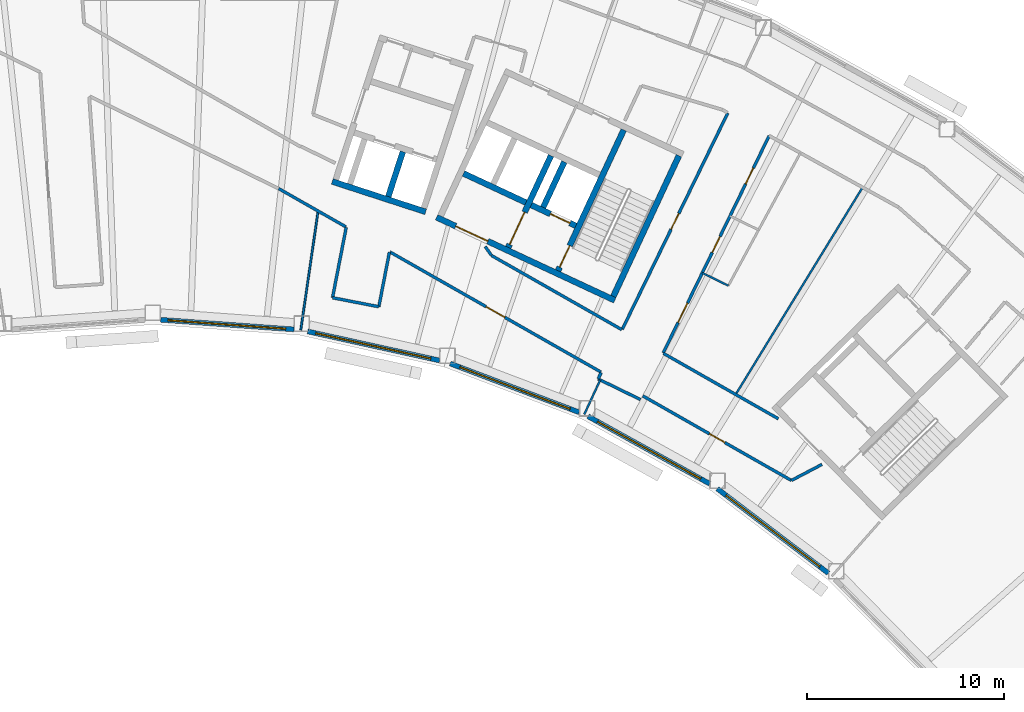
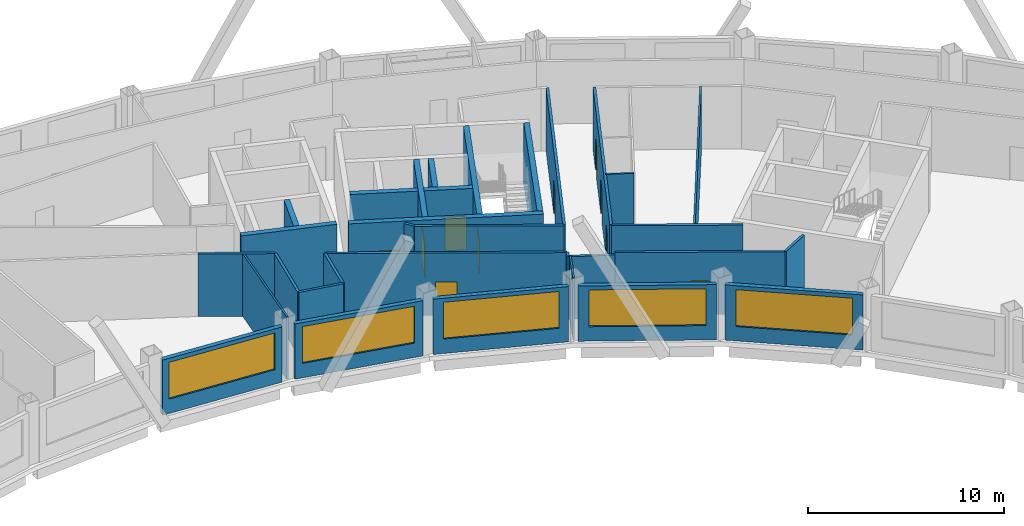
# One storey, part 8 of 14: 32 walls, 10 doors, 5 windows, 15 openings.
"""IFC4 building model written with IfcOpenShell, lengths in metres."""

from ifc_helpers import new_model, si_unit, direction, frame, frame_2d, origin, place, context, subcontext, project, spatial, rectangle, extrude, material, layer, layer_set, type_object, element, fill, save


model = new_model("IFC4")

# Units and contexts
model_context = context("Model", 3, precision=1e-05, world=origin(), true_north=direction((0.0, 1.0)))
body_context = subcontext(model_context, "Body", "Model", "MODEL_VIEW")
ifc_project = project(units=[si_unit("LENGTHUNIT", "METRE"), si_unit("AREAUNIT", "SQUARE_METRE"), si_unit("VOLUMEUNIT", "CUBIC_METRE"), si_unit("PLANEANGLEUNIT", "RADIAN"), si_unit("MASSUNIT", "GRAM", prefix="KILO")], contexts=[model_context])

# Site, building, storey
site_placement = place(None, origin())
site = spatial("IfcSite", under=ifc_project, at=site_placement, CompositionType="ELEMENT")
building_placement = place(site_placement, origin())
building = spatial("IfcBuilding", under=site, at=building_placement, Name="Tuul Gate Civic Tower", CompositionType="ELEMENT")
storey_placement = place(building_placement, frame((0.0, 0.0, 265.199951171875)))
storey = spatial("IfcBuildingStorey", under=building, at=storey_placement, Name="Level 60", CompositionType="ELEMENT", Elevation=265.199951171875)

# Wall, opening, door
ifc_material_1 = material(Name="Concrete C50/60", Category="concrete")
ifc_layer_1 = layer(ifc_material_1, 0.300048828125)
ifc_layer_set_1 = layer_set([ifc_layer_1], Name="Concrete C50/60")
wall_type_1 = type_object("IfcWallType", Name="Core wall C50/60", PredefinedType="SHEAR", material=ifc_layer_set_1)
wall_1_placement = place(storey_placement, frame((34.5283203125, -7.25, 0.0), z_axis=(0.0, 0.0, 1.0), x_axis=(-0.906310338845, 0.422612789327, 0.0)))
wall_1 = element("IfcWall", 1, at=wall_1_placement, inside=storey, type_object=wall_type_1, Name="Core wall", PredefinedType="SHEAR", context=body_context, shape_type="SweptSolid", body=[
    extrude(rectangle(XDim=9.999755859375, YDim=0.300048828125, at=frame_2d((5.0, 0.0))), origin(), (0.0, 0.0, 1.0), 3.900146484375),
])
opening_1_placement = place(wall_1_placement, frame((7.125, 0.0, 0.0)))
opening_1 = element("IfcOpeningElement", 2, at=opening_1_placement, cuts=wall_1, Name="Opening LB-E3-LOBBY-1", PredefinedType="OPENING", context=body_context, shape_type="SweptSolid", body=[
    extrude(rectangle(XDim=1.800048828125, YDim=2.10009765625, at=frame_2d((0.89990234375, 1.050048828125))), frame((0.0, 0.16015625, 0.0), z_axis=(0.0, -1.0, 0.0), x_axis=(1.0, 0.0, 0.0)), (0.0, 0.0, 1.0), 0.320068359375),
])
ifc_material_2 = material(Name="Steel", Category="steel")
door_type_1 = type_object("IfcDoorType", Name="Lobby door", OperationType="DOUBLE_DOOR_SINGLE_SWING", PredefinedType="DOOR", material=ifc_material_2)
door_1_placement = place(opening_1_placement, origin())
door_1 = element("IfcDoor", 3, at=door_1_placement, inside=storey, type_object=door_type_1, Name="Lobby door E3-LOBBY", OperationType="DOUBLE_DOOR_SINGLE_SWING", OverallHeight=2.10009765625, OverallWidth=1.800048828125, PredefinedType="DOOR", context=body_context, shape_type="SweptSolid", body=[
    extrude(rectangle(XDim=1.800048828125, YDim=2.10009765625, at=frame_2d((0.89990234375, 1.050048828125))), frame((0.0, 0.02490234375, 0.0), z_axis=(0.0, -1.0, 0.0), x_axis=(1.0, 0.0, 0.0)), (0.0, 0.0, 1.0), 0.050048828125),
])
fill(opening_1, door_1)

wall_2_placement = place(storey_placement, frame((32.545654296875, -3.456787109375, 0.0), z_axis=(0.0, 0.0, 1.0), x_axis=(-0.906300357825, 0.42263419337, 0.0)))
wall_2 = element("IfcWall", 4, at=wall_2_placement, inside=storey, type_object=wall_type_1, Name="Core wall", PredefinedType="SHEAR", context=body_context, shape_type="SweptSolid", body=[
    extrude(rectangle(XDim=2.500244140625, YDim=0.300048828125, at=frame_2d((1.25, 0.0))), origin(), (0.0, 0.0, 1.0), 3.900146484375),
])
opening_2_placement = place(wall_2_placement, frame((0.324951171875, 0.0, 0.0)))
opening_2 = element("IfcOpeningElement", 5, at=opening_2_placement, cuts=wall_2, Name="Opening LD-FF-2", PredefinedType="OPENING", context=body_context, shape_type="SweptSolid", body=[
    extrude(rectangle(XDim=1.10009765625, YDim=2.10009765625, at=frame_2d((0.550048828125, 1.050048828125))), frame((0.0, 0.16015625, 0.0), z_axis=(0.0, -1.0, 0.0), x_axis=(1.0, 0.0, 0.0)), (0.0, 0.0, 1.0), 0.320068359375),
])
ifc_material_3 = material(Name="Stainless steel", Category="steel")
door_type_2 = type_object("IfcDoorType", Name="Landing door", OperationType="DOUBLE_DOOR_SLIDING", PredefinedType="DOOR", material=ifc_material_3)
door_2_placement = place(opening_2_placement, origin())
door_2 = element("IfcDoor", 6, at=door_2_placement, inside=storey, type_object=door_type_2, Name="Fire-fighting lift FF-2 landing door", OperationType="DOUBLE_DOOR_SLIDING", OverallHeight=2.10009765625, OverallWidth=1.10009765625, PredefinedType="DOOR", context=body_context, shape_type="SweptSolid", body=[
    extrude(rectangle(XDim=1.10009765625, YDim=2.10009765625, at=frame_2d((0.550048828125, 1.050048828125))), frame((0.0, 0.02490234375, 0.0), z_axis=(0.0, -1.0, 0.0), x_axis=(1.0, 0.0, 0.0)), (0.0, 0.0, 1.0), 0.050048828125),
])
fill(opening_2, door_2)

# Walls
wall_3_placement = place(storey_placement, frame((30.0078125, -2.2734375, 0.0), z_axis=(0.0, 0.0, 1.0), x_axis=(-0.90630071767, 0.422633421716, 0.0)))
element("IfcWall", 7, at=wall_3_placement, inside=storey, type_object=wall_type_1, Name="Core wall", PredefinedType="SHEAR", context=body_context, shape_type="SweptSolid", body=[
    extrude(rectangle(XDim=3.5, YDim=0.300048828125, at=frame_2d((1.75, 0.0))), origin(), (0.0, 0.0, 1.0), 3.900146484375),
])
wall_4_placement = place(storey_placement, frame((34.455810546875, -7.05078125, 0.0), z_axis=(0.0, 0.0, 1.0), x_axis=(0.422570768258, 0.906329932096, 0.0)))
element("IfcWall", 8, at=wall_4_placement, inside=storey, type_object=wall_type_1, Name="Core wall", PredefinedType="SHEAR", context=body_context, shape_type="SweptSolid", body=[
    extrude(rectangle(XDim=7.900146484375, YDim=0.300048828125, at=frame_2d((3.9501953125, 0.0))), origin(), (0.0, 0.0, 1.0), 3.900146484375),
])

# Wall, opening, door
wall_5_placement = place(storey_placement, frame((31.646240234375, -5.740478515625, 0.0), z_axis=(0.0, 0.0, 1.0), x_axis=(0.422582604137, 0.906324413596, 0.0)))
wall_5 = element("IfcWall", 9, at=wall_5_placement, inside=storey, type_object=wall_type_1, Name="Core wall", PredefinedType="SHEAR", context=body_context, shape_type="SweptSolid", body=[
    extrude(rectangle(XDim=7.89990234375, YDim=0.300048828125, at=frame_2d((3.949951171875, 0.0))), origin(), (0.0, 0.0, 1.0), 3.900146484375),
])
opening_3_placement = place(wall_5_placement, frame((0.199951171875, 0.0, 0.0)))
opening_3 = element("IfcOpeningElement", 10, at=opening_3_placement, cuts=wall_5, Name="Opening SD-ST-4", PredefinedType="OPENING", context=body_context, shape_type="SweptSolid", body=[
    extrude(rectangle(XDim=1.199951171875, YDim=2.10009765625, at=frame_2d((0.60009765625, 1.050048828125))), frame((0.0, 0.16015625, 0.0), z_axis=(0.0, -1.0, 0.0), x_axis=(1.0, 0.0, 0.0)), (0.0, 0.0, 1.0), 0.320068359375),
])
ifc_material_4 = material(Name="Steel", Category="steel")
door_type_3 = type_object("IfcDoorType", Name="Stair door", OperationType="NOTDEFINED", PredefinedType="DOOR", material=ifc_material_4)
door_3_placement = place(opening_3_placement, origin())
door_3 = element("IfcDoor", 11, at=door_3_placement, inside=storey, type_object=door_type_3, Name="Stair door ST-4", OperationType="SINGLE_SWING_LEFT", OverallHeight=2.10009765625, OverallWidth=1.199951171875, PredefinedType="DOOR", context=body_context, shape_type="SweptSolid", body=[
    extrude(rectangle(XDim=1.199951171875, YDim=2.10009765625, at=frame_2d((0.60009765625, 1.050048828125))), frame((0.0, 0.02490234375, 0.0), z_axis=(0.0, -1.0, 0.0), x_axis=(1.0, 0.0, 0.0)), (0.0, 0.0, 1.0), 0.050048828125),
])
fill(opening_3, door_3)

# Wall
wall_6_placement = place(storey_placement, frame((30.886962890625, -2.517822265625, 0.0), z_axis=(0.0, 0.0, 1.0), x_axis=(0.422612891016, 0.906310291427, 0.0)))
element("IfcWall", 12, at=wall_6_placement, inside=storey, type_object=wall_type_1, Name="Core wall", PredefinedType="SHEAR", context=body_context, shape_type="SweptSolid", body=[
    extrude(rectangle(XDim=2.550048828125, YDim=0.300048828125, at=frame_2d((1.27490234375, 0.0))), origin(), (0.0, 0.0, 1.0), 3.900146484375),
])

# Wall, opening, door
wall_7_placement = place(storey_placement, frame((29.108642578125, -4.557373046875, 0.0), z_axis=(0.0, 0.0, 1.0), x_axis=(0.422566235356, 0.90633204552, 0.0)))
wall_7 = element("IfcWall", 13, at=wall_7_placement, inside=storey, type_object=wall_type_1, Name="Core wall", PredefinedType="SHEAR", context=body_context, shape_type="SweptSolid", body=[
    extrude(rectangle(XDim=5.150146484375, YDim=0.300048828125, at=frame_2d((2.5751953125, 0.0))), origin(), (0.0, 0.0, 1.0), 3.900146484375),
])
opening_4_placement = place(wall_7_placement, frame((0.175048828125, 0.0, 0.0)))
opening_4 = element("IfcOpeningElement", 14, at=opening_4_placement, cuts=wall_7, Name="Opening LB-E3-FLOBBY-1", PredefinedType="OPENING", context=body_context, shape_type="SweptSolid", body=[
    extrude(rectangle(XDim=1.800048828125, YDim=2.10009765625, at=frame_2d((0.89990234375, 1.050048828125))), frame((0.0, 0.16015625, 0.0), z_axis=(0.0, -1.0, 0.0), x_axis=(1.0, 0.0, 0.0)), (0.0, 0.0, 1.0), 0.320068359375),
])
door_4_placement = place(opening_4_placement, frame((1.800048828125, 0.0, 0.0), z_axis=(0.0, 0.0, 1.0), x_axis=(-1.0, 0.0, 0.0)))
door_4 = element("IfcDoor", 15, at=door_4_placement, inside=storey, type_object=door_type_1, Name="Lobby door E3-FLOBBY", OperationType="DOUBLE_DOOR_SINGLE_SWING", OverallHeight=2.10009765625, OverallWidth=1.800048828125, PredefinedType="DOOR", context=body_context, shape_type="SweptSolid", body=[
    extrude(rectangle(XDim=1.800048828125, YDim=2.10009765625, at=frame_2d((0.900146484375, 1.050048828125))), frame((0.0, 0.02490234375, 0.0), z_axis=(0.0, -1.0, 0.0), x_axis=(1.0, 0.0, 0.0)), (0.0, 0.0, 1.0), 0.050048828125),
])
fill(opening_4, door_4)

# Walls
ifc_material_5 = material(Name="Gypsum board partition")
ifc_layer_2 = layer(ifc_material_5, 0.14990234375)
ifc_layer_set_2 = layer_set([ifc_layer_2], Name="Gypsum board partition")
wall_type_2 = type_object("IfcWallType", Name="Corridor wall P150", PredefinedType="PARTITIONING", material=ifc_layer_set_2)
wall_8_placement = place(storey_placement, frame((28.256591796875, -4.965576171875, 0.0), z_axis=(0.0, 0.0, 1.0), x_axis=(0.869032320877, -0.494755318589, 0.0)))
element("IfcWall", 16, at=wall_8_placement, inside=storey, type_object=wall_type_2, Name="p023", PredefinedType="PARTITIONING", context=body_context, shape_type="SweptSolid", body=[
    extrude(rectangle(XDim=7.62353515625, YDim=0.14990234375, at=frame_2d((3.811767578125, 0.0))), origin(), (0.0, 0.0, 1.0), 3.900146484375),
])
wall_9_placement = place(storey_placement, frame((37.004638671875, -9.94580078125, 0.0), z_axis=(0.0, 0.0, 1.0), x_axis=(0.869046007404, -0.49473127758, 0.0)))
element("IfcWall", 17, at=wall_9_placement, inside=storey, type_object=wall_type_2, Name="p024", PredefinedType="PARTITIONING", context=body_context, shape_type="SweptSolid", body=[
    extrude(rectangle(XDim=6.72705078125, YDim=0.14990234375, at=frame_2d((3.363525390625, 0.0))), origin(), (0.0, 0.0, 1.0), 3.900146484375),
])
wall_10_placement = place(storey_placement, frame((33.681640625, -11.247314453125, 0.0), z_axis=(0.0, 0.0, 1.0), x_axis=(0.898820277284, -0.438317361216, 0.0)))
element("IfcWall", 18, at=wall_10_placement, inside=storey, type_object=wall_type_2, Name="p052", PredefinedType="PARTITIONING", context=body_context, shape_type="SweptSolid", body=[
    extrude(rectangle(XDim=2.39892578125, YDim=0.14990234375, at=frame_2d((1.199462890625, 0.0))), origin(), (0.0, 0.0, 1.0), 3.900146484375),
])

# Wall, openings, doors
wall_11_placement = place(storey_placement, frame((36.998291015625, -9.920654296875, 0.0), z_axis=(0.0, 0.0, 1.0), x_axis=(0.438372757264, 0.898793260816, 0.0)))
wall_11 = element("IfcWall", 19, at=wall_11_placement, inside=storey, type_object=wall_type_2, Name="p053", PredefinedType="PARTITIONING", context=body_context, shape_type="SweptSolid", body=[
    extrude(rectangle(XDim=12.291259765625, YDim=0.14990234375, at=frame_2d((6.1455078125, 0.0))), origin(), (0.0, 0.0, 1.0), 3.900146484375),
])
opening_5_placement = place(wall_11_placement, frame((1.712158203125, 0.0, 0.0)))
opening_5 = element("IfcOpeningElement", 20, at=opening_5_placement, cuts=wall_11, Name="Opening V-D18", PredefinedType="OPENING", context=body_context, shape_type="SweptSolid", body=[
    extrude(rectangle(XDim=1.10009765625, YDim=2.10009765625, at=frame_2d((0.550048828125, 1.050048828125))), frame((0.0, 0.0849609375, 0.0), z_axis=(0.0, -1.0, 0.0), x_axis=(1.0, 0.0, 0.0)), (0.0, 0.0, 1.0), 0.169921875),
])
opening_6_placement = place(wall_11_placement, frame((5.68505859375, 0.0, 0.0)))
opening_6 = element("IfcOpeningElement", 21, at=opening_6_placement, cuts=wall_11, Name="Opening V-D19", PredefinedType="OPENING", context=body_context, shape_type="SweptSolid", body=[
    extrude(rectangle(XDim=0.89990234375, YDim=2.10009765625, at=frame_2d((0.449951171875, 1.050048828125))), frame((0.0, 0.0849609375, 0.0), z_axis=(0.0, -1.0, 0.0), x_axis=(1.0, 0.0, 0.0)), (0.0, 0.0, 1.0), 0.169921875),
])
opening_7_placement = place(wall_11_placement, frame((9.5537109375, 0.0, 0.0)))
opening_7 = element("IfcOpeningElement", 22, at=opening_7_placement, cuts=wall_11, Name="Opening V-D25", PredefinedType="OPENING", context=body_context, shape_type="SweptSolid", body=[
    extrude(rectangle(XDim=0.89990234375, YDim=2.10009765625, at=frame_2d((0.449951171875, 1.050048828125))), frame((0.0, 0.0849609375, 0.0), z_axis=(0.0, -1.0, 0.0), x_axis=(1.0, 0.0, 0.0)), (0.0, 0.0, 1.0), 0.169921875),
])
ifc_material_6 = material(Name="Timber door leaf", Category="wood")
door_type_4 = type_object("IfcDoorType", Name="Door D09", OperationType="NOTDEFINED", PredefinedType="DOOR", material=ifc_material_6)
door_5_placement = place(opening_6_placement, frame((0.89990234375, 0.0, 0.0), z_axis=(0.0, 0.0, 1.0), x_axis=(-1.0, 0.0, 0.0)))
door_5 = element("IfcDoor", 23, at=door_5_placement, inside=storey, type_object=door_type_4, Name="Door V-D19", OperationType="SINGLE_SWING_LEFT", OverallHeight=2.10009765625, OverallWidth=0.89990234375, PredefinedType="DOOR", context=body_context, shape_type="SweptSolid", body=[
    extrude(rectangle(XDim=0.89990234375, YDim=2.10009765625, at=frame_2d((0.449951171875, 1.050048828125))), frame((0.0, 0.02490234375, 0.0), z_axis=(0.0, -1.0, 0.0), x_axis=(1.0, 0.0, 0.0)), (0.0, 0.0, 1.0), 0.050048828125),
])
fill(opening_6, door_5)
door_6_placement = place(opening_7_placement, frame((0.89990234375, 0.0, 0.0), z_axis=(0.0, 0.0, 1.0), x_axis=(-1.0, 0.0, 0.0)))
door_6 = element("IfcDoor", 24, at=door_6_placement, inside=storey, type_object=door_type_4, Name="Door V-D25", OperationType="SINGLE_SWING_LEFT", OverallHeight=2.10009765625, OverallWidth=0.89990234375, PredefinedType="DOOR", context=body_context, shape_type="SweptSolid", body=[
    extrude(rectangle(XDim=0.89990234375, YDim=2.10009765625, at=frame_2d((0.449951171875, 1.050048828125))), frame((0.0, 0.02490234375, 0.0), z_axis=(0.0, -1.0, 0.0), x_axis=(1.0, 0.0, 0.0)), (0.0, 0.0, 1.0), 0.050048828125),
])
fill(opening_7, door_6)
ifc_material_7 = material(Name="Timber door leaf", Category="wood")
door_type_5 = type_object("IfcDoorType", Name="Door D11", OperationType="NOTDEFINED", PredefinedType="DOOR", material=ifc_material_7)
door_7_placement = place(opening_5_placement, frame((1.10009765625, 0.0, 0.0), z_axis=(0.0, 0.0, 1.0), x_axis=(-1.0, 0.0, 0.0)))
door_7 = element("IfcDoor", 25, at=door_7_placement, inside=storey, type_object=door_type_5, Name="Door V-D18", OperationType="SINGLE_SWING_LEFT", OverallHeight=2.10009765625, OverallWidth=1.10009765625, PredefinedType="DOOR", context=body_context, shape_type="SweptSolid", body=[
    extrude(rectangle(XDim=1.10009765625, YDim=2.10009765625, at=frame_2d((0.550048828125, 1.050048828125))), frame((0.0, 0.02490234375, 0.0), z_axis=(0.0, -1.0, 0.0), x_axis=(1.0, 0.0, 0.0)), (0.0, 0.0, 1.0), 0.050048828125),
])
fill(opening_5, door_7)

# Wall
wall_12_placement = place(storey_placement, frame((17.43310546875, -1.565673828125, 0.0), z_axis=(0.0, 0.0, 1.0), x_axis=(0.869046695057, -0.494730069645, 0.0)))
element("IfcWall", 26, at=wall_12_placement, inside=storey, type_object=wall_type_2, Name="p054", PredefinedType="PARTITIONING", context=body_context, shape_type="SweptSolid", body=[
    extrude(rectangle(XDim=3.939453125, YDim=0.14990234375, at=frame_2d((1.9697265625, 0.0))), origin(), (0.0, 0.0, 1.0), 3.900146484375),
])

# Wall, opening, door
wall_13_placement = place(storey_placement, frame((23.0947265625, -4.788818359375, 0.0), z_axis=(0.0, 0.0, 1.0), x_axis=(0.869048389976, -0.494727092324, 0.0)))
wall_13 = element("IfcWall", 27, at=wall_13_placement, inside=storey, type_object=wall_type_2, Name="p055", PredefinedType="PARTITIONING", context=body_context, shape_type="SweptSolid", body=[
    extrude(rectangle(XDim=12.3525390625, YDim=0.14990234375, at=frame_2d((6.17626953125, 0.0))), origin(), (0.0, 0.0, 1.0), 3.900146484375),
])
opening_8_placement = place(wall_13_placement, frame((5.626220703125, 0.0, 0.0)))
opening_8 = element("IfcOpeningElement", 28, at=opening_8_placement, cuts=wall_13, Name="Opening V-D11", PredefinedType="OPENING", context=body_context, shape_type="SweptSolid", body=[
    extrude(rectangle(XDim=1.10009765625, YDim=2.10009765625, at=frame_2d((0.550048828125, 1.050048828125))), frame((0.0, 0.0849609375, 0.0), z_axis=(0.0, -1.0, 0.0), x_axis=(1.0, 0.0, 0.0)), (0.0, 0.0, 1.0), 0.169921875),
])
door_8_placement = place(opening_8_placement, frame((1.10009765625, 0.0, 0.0), z_axis=(0.0, 0.0, 1.0), x_axis=(-1.0, 0.0, 0.0)))
door_8 = element("IfcDoor", 29, at=door_8_placement, inside=storey, type_object=door_type_5, Name="Door V-D11", OperationType="SINGLE_SWING_LEFT", OverallHeight=2.10009765625, OverallWidth=1.10009765625, PredefinedType="DOOR", context=body_context, shape_type="SweptSolid", body=[
    extrude(rectangle(XDim=1.10009765625, YDim=2.10009765625, at=frame_2d((0.550048828125, 1.050048828125))), frame((0.0, 0.02490234375, 0.0), z_axis=(0.0, -1.0, 0.0), x_axis=(1.0, 0.0, 0.0)), (0.0, 0.0, 1.0), 0.050048828125),
])
fill(opening_8, door_8)

wall_14_placement = place(storey_placement, frame((35.954345703125, -12.109619140625, 0.0), z_axis=(0.0, 0.0, 1.0), x_axis=(0.869048580434, -0.494726757761, 0.0)))
wall_14 = element("IfcWall", 30, at=wall_14_placement, inside=storey, type_object=wall_type_2, Name="p056", PredefinedType="PARTITIONING", context=body_context, shape_type="SweptSolid", body=[
    extrude(rectangle(XDim=8.69873046875, YDim=0.14990234375, at=frame_2d((4.349365234375, 0.0))), origin(), (0.0, 0.0, 1.0), 3.900146484375),
])
opening_9_placement = place(wall_14_placement, frame((3.8994140625, 0.0, 0.0)))
opening_9 = element("IfcOpeningElement", 31, at=opening_9_placement, cuts=wall_14, Name="Opening V-D10", PredefinedType="OPENING", context=body_context, shape_type="SweptSolid", body=[
    extrude(rectangle(XDim=0.89990234375, YDim=2.10009765625, at=frame_2d((0.449951171875, 1.050048828125))), frame((0.0, 0.0849609375, 0.0), z_axis=(0.0, -1.0, 0.0), x_axis=(1.0, 0.0, 0.0)), (0.0, 0.0, 1.0), 0.169921875),
])
door_9_placement = place(opening_9_placement, frame((0.89990234375, 0.0, 0.0), z_axis=(0.0, 0.0, 1.0), x_axis=(-1.0, 0.0, 0.0)))
door_9 = element("IfcDoor", 32, at=door_9_placement, inside=storey, type_object=door_type_4, Name="Door V-D10", OperationType="SINGLE_SWING_LEFT", OverallHeight=2.10009765625, OverallWidth=0.89990234375, PredefinedType="DOOR", context=body_context, shape_type="SweptSolid", body=[
    extrude(rectangle(XDim=0.89990234375, YDim=2.10009765625, at=frame_2d((0.449951171875, 1.050048828125))), frame((0.0, 0.02490234375, 0.0), z_axis=(0.0, -1.0, 0.0), x_axis=(1.0, 0.0, 0.0)), (0.0, 0.0, 1.0), 0.050048828125),
])
fill(opening_9, door_9)

# Walls
wall_15_placement = place(storey_placement, frame((43.514892578125, -16.4130859375, 0.0), z_axis=(0.0, 0.0, 1.0), x_axis=(0.885578182446, 0.464490347343, 0.0)))
element("IfcWall", 33, at=wall_15_placement, inside=storey, type_object=wall_type_2, Name="p057", PredefinedType="PARTITIONING", context=body_context, shape_type="SweptSolid", body=[
    extrude(rectangle(XDim=1.755126953125, YDim=0.14990234375, at=frame_2d((0.87744140625, 0.0))), origin(), (0.0, 0.0, 1.0), 3.900146484375),
])
wall_16_placement = place(storey_placement, frame((20.17041015625, -7.1162109375, 0.0), z_axis=(0.0, 0.0, 1.0), x_axis=(0.190835618479, 0.981622008066, 0.0)))
element("IfcWall", 34, at=wall_16_placement, inside=storey, type_object=wall_type_2, Name="p058", PredefinedType="PARTITIONING", context=body_context, shape_type="SweptSolid", body=[
    extrude(rectangle(XDim=3.6474609375, YDim=0.14990234375, at=frame_2d((1.82373046875, 0.0))), origin(), (0.0, 0.0, 1.0), 3.900146484375),
])
wall_17_placement = place(storey_placement, frame((20.1708984375, -7.11669921875, 0.0), z_axis=(0.0, 0.0, 1.0), x_axis=(0.981627039765, -0.190809734559, 0.0)))
element("IfcWall", 35, at=wall_17_placement, inside=storey, type_object=wall_type_2, Name="p059", PredefinedType="PARTITIONING", context=body_context, shape_type="SweptSolid", body=[
    extrude(rectangle(XDim=2.399169921875, YDim=0.14990234375, at=frame_2d((1.19970703125, 0.0))), origin(), (0.0, 0.0, 1.0), 3.900146484375),
])
wall_18_placement = place(storey_placement, frame((22.5263671875, -7.57421875, 0.0), z_axis=(0.0, 0.0, 1.0), x_axis=(0.190809492734, 0.981627086771, 0.0)))
element("IfcWall", 36, at=wall_18_placement, inside=storey, type_object=wall_type_2, Name="p060", PredefinedType="PARTITIONING", context=body_context, shape_type="SweptSolid", body=[
    extrude(rectangle(XDim=2.823974609375, YDim=0.14990234375, at=frame_2d((1.412109375, 0.0))), origin(), (0.0, 0.0, 1.0), 3.900146484375),
])
wall_19_placement = place(storey_placement, frame((33.681396484375, -11.24658203125, 0.0), z_axis=(0.0, 0.0, 1.0), x_axis=(0.438153845519, 0.898899998697, 0.0)))
element("IfcWall", 37, at=wall_19_placement, inside=storey, type_object=wall_type_2, Name="p061", PredefinedType="PARTITIONING", context=body_context, shape_type="SweptSolid", body=[
    extrude(rectangle(XDim=0.356689453125, YDim=0.14990234375, at=frame_2d((0.17822265625, 0.0))), origin(), (0.0, 0.0, 1.0), 3.900146484375),
])

# Wall, opening, door
wall_20_placement = place(storey_placement, frame((34.909423828125, -8.728515625, 0.0), z_axis=(0.0, 0.0, 1.0), x_axis=(0.43837608299, 0.898791638736, 0.0)))
wall_20 = element("IfcWall", 38, at=wall_20_placement, inside=storey, type_object=wall_type_2, Name="p062", PredefinedType="PARTITIONING", context=body_context, shape_type="SweptSolid", body=[
    extrude(rectangle(XDim=12.240478515625, YDim=0.14990234375, at=frame_2d((6.1201171875, 0.0))), origin(), (0.0, 0.0, 1.0), 3.900146484375),
])
opening_10_placement = place(wall_20_placement, frame((5.67041015625, 0.0, 0.0)))
opening_10 = element("IfcOpeningElement", 39, at=opening_10_placement, cuts=wall_20, Name="Opening V-D20", PredefinedType="OPENING", context=body_context, shape_type="SweptSolid", body=[
    extrude(rectangle(XDim=0.89990234375, YDim=2.10009765625, at=frame_2d((0.449951171875, 1.050048828125))), frame((0.0, 0.0849609375, 0.0), z_axis=(0.0, -1.0, 0.0), x_axis=(1.0, 0.0, 0.0)), (0.0, 0.0, 1.0), 0.169921875),
])
door_10_placement = place(opening_10_placement, origin())
door_10 = element("IfcDoor", 40, at=door_10_placement, inside=storey, type_object=door_type_4, Name="Door V-D20", OperationType="SINGLE_SWING_RIGHT", OverallHeight=2.10009765625, OverallWidth=0.89990234375, PredefinedType="DOOR", context=body_context, shape_type="SweptSolid", body=[
    extrude(rectangle(XDim=0.89990234375, YDim=2.10009765625, at=frame_2d((0.449951171875, 1.050048828125))), frame((0.0, 0.02490234375, 0.0), z_axis=(0.0, -1.0, 0.0), x_axis=(1.0, 0.0, 0.0)), (0.0, 0.0, 1.0), 0.050048828125),
])
fill(opening_10, door_10)

# Wall
wall_21_placement = place(storey_placement, frame((27.939453125, -4.509033203125, 0.0), z_axis=(0.0, 0.0, 1.0), x_axis=(0.567399346164, -0.823442761807, 0.0)))
element("IfcWall", 41, at=wall_21_placement, inside=storey, type_object=wall_type_2, Name="p094", PredefinedType="PARTITIONING", context=body_context, shape_type="SweptSolid", body=[
    extrude(rectangle(XDim=0.54736328125, YDim=0.14990234375, at=frame_2d((0.273681640625, 0.0))), origin(), (0.0, 0.0, 1.0), 3.900146484375),
])

# Wall, opening, window
ifc_material_8 = material(Name="Precast concrete C40/50", Category="concrete")
ifc_layer_3 = layer(ifc_material_8, 0.25)
ifc_layer_set_3 = layer_set([ifc_layer_3], Name="Precast concrete C40/50")
wall_type_3 = type_object("IfcWallType", Name="External wall", PredefinedType="STANDARD", material=ifc_layer_set_3)
wall_22_placement = place(storey_placement, frame((11.430908203125, -8.236572265625, 0.0), z_axis=(0.0, 0.0, 1.0), x_axis=(0.997384795983, -0.072274260578, 0.0)))
wall_22 = element("IfcWall", 42, at=wall_22_placement, inside=storey, type_object=wall_type_3, Name="External wall", PredefinedType="STANDARD", context=body_context, shape_type="SweptSolid", body=[
    extrude(rectangle(XDim=6.789794921875, YDim=0.25, at=frame_2d((3.39501953125, 0.0))), origin(), (0.0, 0.0, 1.0), 3.449951171875),
])
opening_11_placement = place(wall_22_placement, frame((0.371337890625, 0.0, 0.89990234375)))
opening_11 = element("IfcOpeningElement", 43, at=opening_11_placement, cuts=wall_22, Name="Opening W26", PredefinedType="OPENING", context=body_context, shape_type="SweptSolid", body=[
    extrude(rectangle(XDim=6.0, YDim=2.300048828125, at=frame_2d((3.0, 1.14990234375))), frame((0.0, 0.135009765625, 0.0), z_axis=(0.0, -1.0, 0.0), x_axis=(1.0, 0.0, 0.0)), (0.0, 0.0, 1.0), 0.27001953125),
])
ifc_material_9 = material(Name="Glass", Category="glass")
window_type = type_object("IfcWindowType", Name="Window W26 6000 x 2300", PartitioningType="SINGLE_PANEL", PredefinedType="WINDOW", material=ifc_material_9)
window_1_placement = place(opening_11_placement, origin())
window_1 = element("IfcWindow", 44, at=window_1_placement, inside=storey, type_object=window_type, Name="Window", OverallHeight=2.300048828125, OverallWidth=6.0, PartitioningType="SINGLE_PANEL", PredefinedType="WINDOW", context=body_context, shape_type="SweptSolid", body=[
    extrude(rectangle(XDim=6.0, YDim=2.300048828125, at=frame_2d((3.0, 1.14990234375))), frame((0.0, 0.030029296875, 0.0), z_axis=(0.0, -1.0, 0.0), x_axis=(1.0, 0.0, 0.0)), (0.0, 0.0, 1.0), 0.06005859375),
])
fill(opening_11, window_1)

wall_23_placement = place(storey_placement, frame((18.90576171875, -8.830078125, 0.0), z_axis=(0.0, 0.0, 1.0), x_axis=(0.976589118116, -0.215113212929, 0.0)))
wall_23 = element("IfcWall", 45, at=wall_23_placement, inside=storey, type_object=wall_type_3, Name="External wall", PredefinedType="STANDARD", context=body_context, shape_type="SweptSolid", body=[
    extrude(rectangle(XDim=6.8720703125, YDim=0.25, at=frame_2d((3.43603515625, 0.0))), origin(), (0.0, 0.0, 1.0), 3.449951171875),
])
opening_12_placement = place(wall_23_placement, frame((0.4140625, 0.0, 0.89990234375)))
opening_12 = element("IfcOpeningElement", 46, at=opening_12_placement, cuts=wall_23, Name="Opening W26", PredefinedType="OPENING", context=body_context, shape_type="SweptSolid", body=[
    extrude(rectangle(XDim=6.0, YDim=2.300048828125, at=frame_2d((3.0, 1.14990234375))), frame((0.0, 0.135009765625, 0.0), z_axis=(0.0, -1.0, 0.0), x_axis=(1.0, 0.0, 0.0)), (0.0, 0.0, 1.0), 0.27001953125),
])
window_2_placement = place(opening_12_placement, origin())
window_2 = element("IfcWindow", 47, at=window_2_placement, inside=storey, type_object=window_type, Name="Window", OverallHeight=2.300048828125, OverallWidth=6.0, PartitioningType="SINGLE_PANEL", PredefinedType="WINDOW", context=body_context, shape_type="SweptSolid", body=[
    extrude(rectangle(XDim=6.0, YDim=2.300048828125, at=frame_2d((3.0, 1.14990234375))), frame((0.0, 0.030029296875, 0.0), z_axis=(0.0, -1.0, 0.0), x_axis=(1.0, 0.0, 0.0)), (0.0, 0.0, 1.0), 0.06005859375),
])
fill(opening_12, window_2)

wall_24_placement = place(storey_placement, frame((26.15673828125, -10.464111328125, 0.0), z_axis=(0.0, 0.0, 1.0), x_axis=(0.935331393711, -0.353772785752, 0.0)))
wall_24 = element("IfcWall", 48, at=wall_24_placement, inside=storey, type_object=wall_type_3, Name="External wall", PredefinedType="STANDARD", context=body_context, shape_type="SweptSolid", body=[
    extrude(rectangle(XDim=7.014892578125, YDim=0.25, at=frame_2d((3.50732421875, 0.0))), origin(), (0.0, 0.0, 1.0), 3.449951171875),
])
opening_13_placement = place(wall_24_placement, frame((0.5234375, 0.0, 0.89990234375)))
opening_13 = element("IfcOpeningElement", 49, at=opening_13_placement, cuts=wall_24, Name="Opening W26", PredefinedType="OPENING", context=body_context, shape_type="SweptSolid", body=[
    extrude(rectangle(XDim=6.0, YDim=2.300048828125, at=frame_2d((3.0, 1.14990234375))), frame((0.0, 0.135009765625, 0.0), z_axis=(0.0, -1.0, 0.0), x_axis=(1.0, 0.0, 0.0)), (0.0, 0.0, 1.0), 0.27001953125),
])
window_3_placement = place(opening_13_placement, origin())
window_3 = element("IfcWindow", 50, at=window_3_placement, inside=storey, type_object=window_type, Name="Window", OverallHeight=2.300048828125, OverallWidth=6.0, PartitioningType="SINGLE_PANEL", PredefinedType="WINDOW", context=body_context, shape_type="SweptSolid", body=[
    extrude(rectangle(XDim=6.0, YDim=2.300048828125, at=frame_2d((3.0, 1.14990234375))), frame((0.0, 0.030029296875, 0.0), z_axis=(0.0, -1.0, 0.0), x_axis=(1.0, 0.0, 0.0)), (0.0, 0.0, 1.0), 0.06005859375),
])
fill(opening_13, window_3)

wall_25_placement = place(storey_placement, frame((33.167724609375, -13.14892578125, 0.0), z_axis=(0.0, 0.0, 1.0), x_axis=(0.874609302381, -0.484828390452, 0.0)))
wall_25 = element("IfcWall", 51, at=wall_25_placement, inside=storey, type_object=wall_type_3, Name="External wall", PredefinedType="STANDARD", context=body_context, shape_type="SweptSolid", body=[
    extrude(rectangle(XDim=7.07666015625, YDim=0.25, at=frame_2d((3.538330078125, 0.0))), origin(), (0.0, 0.0, 1.0), 3.449951171875),
])
opening_14_placement = place(wall_25_placement, frame((0.558349609375, 0.0, 0.89990234375)))
opening_14 = element("IfcOpeningElement", 52, at=opening_14_placement, cuts=wall_25, Name="Opening W26", PredefinedType="OPENING", context=body_context, shape_type="SweptSolid", body=[
    extrude(rectangle(XDim=6.0, YDim=2.300048828125, at=frame_2d((3.0, 1.14990234375))), frame((0.0, 0.135009765625, 0.0), z_axis=(0.0, -1.0, 0.0), x_axis=(1.0, 0.0, 0.0)), (0.0, 0.0, 1.0), 0.27001953125),
])
window_4_placement = place(opening_14_placement, origin())
window_4 = element("IfcWindow", 53, at=window_4_placement, inside=storey, type_object=window_type, Name="Window", OverallHeight=2.300048828125, OverallWidth=6.0, PartitioningType="SINGLE_PANEL", PredefinedType="WINDOW", context=body_context, shape_type="SweptSolid", body=[
    extrude(rectangle(XDim=6.0, YDim=2.300048828125, at=frame_2d((3.0, 1.14990234375))), frame((0.0, 0.030029296875, 0.0), z_axis=(0.0, -1.0, 0.0), x_axis=(1.0, 0.0, 0.0)), (0.0, 0.0, 1.0), 0.06005859375),
])
fill(opening_14, window_4)

wall_26_placement = place(storey_placement, frame((39.746337890625, -16.830078125, 0.0), z_axis=(0.0, 0.0, 1.0), x_axis=(0.795636022241, -0.605774974815, 0.0)))
wall_26 = element("IfcWall", 54, at=wall_26_placement, inside=storey, type_object=wall_type_3, Name="External wall", PredefinedType="STANDARD", context=body_context, shape_type="SweptSolid", body=[
    extrude(rectangle(XDim=7.103271484375, YDim=0.25, at=frame_2d((3.5517578125, 0.0))), origin(), (0.0, 0.0, 1.0), 3.449951171875),
])
opening_15_placement = place(wall_26_placement, frame((0.5625, 0.0, 0.89990234375)))
opening_15 = element("IfcOpeningElement", 55, at=opening_15_placement, cuts=wall_26, Name="Opening W26", PredefinedType="OPENING", context=body_context, shape_type="SweptSolid", body=[
    extrude(rectangle(XDim=6.0, YDim=2.300048828125, at=frame_2d((3.0, 1.14990234375))), frame((0.0, 0.135009765625, 0.0), z_axis=(0.0, -1.0, 0.0), x_axis=(1.0, 0.0, 0.0)), (0.0, 0.0, 1.0), 0.27001953125),
])
window_5_placement = place(opening_15_placement, origin())
window_5 = element("IfcWindow", 56, at=window_5_placement, inside=storey, type_object=window_type, Name="Window", OverallHeight=2.300048828125, OverallWidth=6.0, PartitioningType="SINGLE_PANEL", PredefinedType="WINDOW", context=body_context, shape_type="SweptSolid", body=[
    extrude(rectangle(XDim=6.0, YDim=2.300048828125, at=frame_2d((3.0, 1.14990234375))), frame((0.0, 0.030029296875, 0.0), z_axis=(0.0, -1.0, 0.0), x_axis=(1.0, 0.0, 0.0)), (0.0, 0.0, 1.0), 0.06005859375),
])
fill(opening_15, window_5)

# Walls
ifc_material_10 = material(Name="Concrete C40/50", Category="concrete")
ifc_layer_4 = layer(ifc_material_10, 0.300048828125)
ifc_layer_set_4 = layer_set([ifc_layer_4], Name="Concrete C40/50")
wall_type_4 = type_object("IfcWallType", Name="Lift shaft wall C40/50", PredefinedType="STANDARD", material=ifc_layer_set_4)
wall_27_placement = place(storey_placement, frame((24.911376953125, -2.746337890625, 0.0), z_axis=(0.0, 0.0, 1.0), x_axis=(-0.951067792613, 0.308982287281, 0.0)))
element("IfcWall", 57, at=wall_27_placement, inside=storey, type_object=wall_type_4, Name="Shaft wall", PredefinedType="STANDARD", context=body_context, shape_type="SweptSolid", body=[
    extrude(rectangle(XDim=5.0, YDim=0.300048828125, at=frame_2d((2.5, 0.0))), origin(), (0.0, 0.0, 1.0), 3.900146484375),
])
wall_28_placement = place(storey_placement, frame((23.008056640625, -1.97021484375, 0.0), z_axis=(0.0, 0.0, 1.0), x_axis=(0.309138975195, 0.951016873675, 0.0)))
element("IfcWall", 58, at=wall_28_placement, inside=storey, type_object=wall_type_4, Name="Shaft wall", PredefinedType="STANDARD", context=body_context, shape_type="SweptSolid", body=[
    extrude(rectangle(XDim=2.400146484375, YDim=0.300048828125, at=frame_2d((1.2001953125, 0.0))), origin(), (0.0, 0.0, 1.0), 3.900146484375),
])
ifc_material_11 = material(Name="Gypsum board partition")
ifc_layer_5 = layer(ifc_material_11, 0.10009765625)
ifc_layer_set_5 = layer_set([ifc_layer_5], Name="Gypsum board partition")
wall_type_5 = type_object("IfcWallType", Name="Partition P100", PredefinedType="PARTITIONING", material=ifc_layer_set_5)
wall_29_placement = place(storey_placement, frame((32.978515625, -13.0498046875, 0.0), z_axis=(0.0, 0.0, 1.0), x_axis=(0.420333944313, 0.907369481115, 0.0)))
element("IfcWall", 59, at=wall_29_placement, inside=storey, type_object=wall_type_5, Name="p007", PredefinedType="PARTITIONING", context=body_context, shape_type="SweptSolid", body=[
    extrude(rectangle(XDim=1.928955078125, YDim=0.10009765625, at=frame_2d((0.96435546875, 0.0))), origin(), (0.0, 0.0, 1.0), 3.900146484375),
])
wall_30_placement = place(storey_placement, frame((18.55517578125, -8.7578125, 0.0), z_axis=(0.0, 0.0, 1.0), x_axis=(0.144075607453, 0.989566682613, 0.0)))
element("IfcWall", 60, at=wall_30_placement, inside=storey, type_object=wall_type_5, Name="p012", PredefinedType="PARTITIONING", context=body_context, shape_type="SweptSolid", body=[
    extrude(rectangle(XDim=6.115478515625, YDim=0.10009765625, at=frame_2d((3.0576171875, 0.0))), origin(), (0.0, 0.0, 1.0), 3.900146484375),
])
wall_31_placement = place(storey_placement, frame((40.681396484375, -12.0390625, 0.0), z_axis=(0.0, 0.0, 1.0), x_axis=(0.522489320379, 0.852645829222, 0.0)))
element("IfcWall", 61, at=wall_31_placement, inside=storey, type_object=wall_type_5, Name="p086", PredefinedType="PARTITIONING", context=body_context, shape_type="SweptSolid", body=[
    extrude(rectangle(XDim=12.357177734375, YDim=0.10009765625, at=frame_2d((6.1787109375, 0.0))), origin(), (0.0, 0.0, 1.0), 3.900146484375),
])
wall_32_placement = place(storey_placement, frame((38.9814453125, -5.8544921875, 0.0), z_axis=(0.0, 0.0, 1.0), x_axis=(0.898814524295, -0.438329158187, 0.0)))
element("IfcWall", 62, at=wall_32_placement, inside=storey, type_object=wall_type_5, Name="p090", PredefinedType="PARTITIONING", context=body_context, shape_type="SweptSolid", body=[
    extrude(rectangle(XDim=1.4765625, YDim=0.10009765625, at=frame_2d((0.73828125, 0.0))), origin(), (0.0, 0.0, 1.0), 3.900146484375),
])

save(model, "model.ifc")
